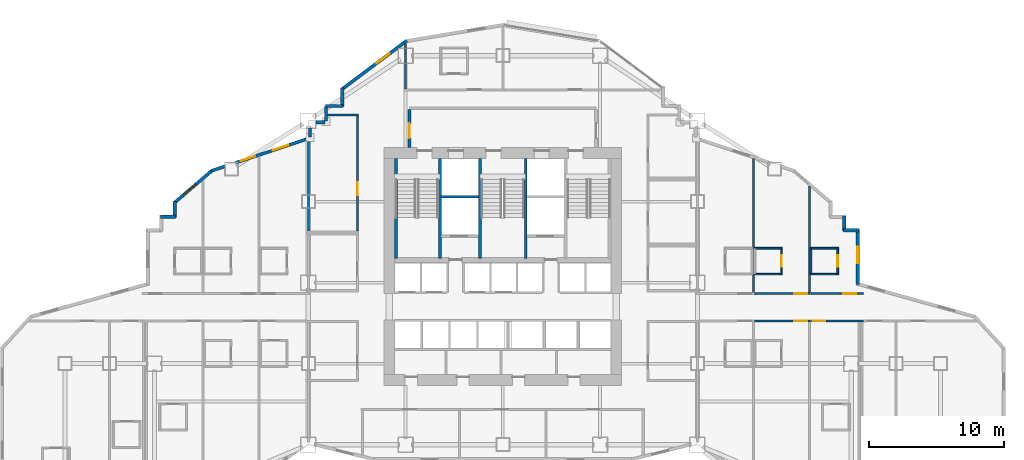
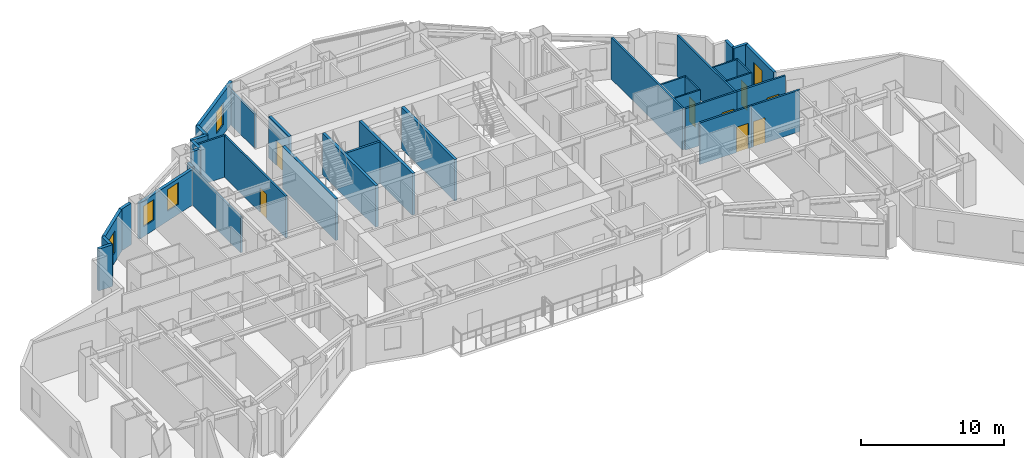
# One storey, part 11 of 16: 37 walls, 8 doors, 5 windows, 13 openings.
"""IFC4 building model written with IfcOpenShell, lengths in metres."""

import ifcopenshell
import ifcopenshell.guid

model = None  # the IFC model being written
_history = None  # IfcOwnerHistory: only IFC2X3 demands one
_inside = {}  # id of a spatial element -> (the spatial element, [elements in it])
_under = {}  # id of a project, library or spatial element -> (it, [spatial elements below it])
_declared = {}  # id of a project -> (the project, [libraries it declares])
_typed = {}  # id of a type object -> (the type object, [elements of that type])
_made_of = {}  # id of a material, layer set ... -> (it, [elements and type objects made of it])


def new_model(schema):
    """Start an empty IFC model of exactly this schema.

    Asked for "IFC4X3", IfcOpenShell would pick the latest addendum, in which some entities
    have other attributes; the version numbers below select the first issue.
    IFC2X3 requires an IfcOwnerHistory on every rooted entity: one is made here for all.
    """
    global model, _history
    if schema == "IFC4X3":
        model = ifcopenshell.file(schema_version=(4, 3, 0, 0))
    else:
        model = ifcopenshell.file(schema=schema)
    _inside.clear()
    _under.clear()
    _declared.clear()
    _typed.clear()
    _made_of.clear()
    _history = None
    if model.schema == "IFC2X3":
        org = make("IfcOrganization", Name="unknown")
        user = make(
            "IfcPersonAndOrganization",
            ThePerson=make("IfcPerson", FamilyName="unknown"),
            TheOrganization=org,
        )
        app = make(
            "IfcApplication",
            ApplicationDeveloper=org,
            Version="unknown",
            ApplicationFullName="unknown",
            ApplicationIdentifier="unknown",
        )
        _history = make(
            "IfcOwnerHistory",
            OwningUser=user,
            OwningApplication=app,
            ChangeAction="ADDED",
            CreationDate=0,
        )
    return model


def make(cls, **values):
    """One entity of the class cls with the attributes given. An attribute that is None is left unset."""
    return model.create_entity(
        cls, **{name: value for name, value in values.items() if value is not None}
    )


def rooted(cls, **values):
    """An entity with a GlobalId (a new one), such as an element, a storey or a relation."""
    return make(cls, GlobalId=ifcopenshell.guid.new(), OwnerHistory=_history, **values)


def si_unit(unit_type, name, prefix=None):
    """IfcSIUnit, for example si_unit("LENGTHUNIT", "METRE", prefix="MILLI")."""
    return make("IfcSIUnit", UnitType=unit_type, Prefix=prefix, Name=name)


def assignment(units):
    """IfcUnitAssignment: the units of a project."""
    return None if units is None else make("IfcUnitAssignment", Units=units)


def point(xyz):
    """IfcCartesianPoint."""
    return None if xyz is None else make("IfcCartesianPoint", Coordinates=xyz)


def direction(xyz):
    """IfcDirection."""
    return None if xyz is None else make("IfcDirection", DirectionRatios=xyz)


def frame(location, z_axis=None, x_axis=None):
    """IfcAxis2Placement3D, a coordinate frame: its origin and axes. An axis left out is left unset."""
    return make(
        "IfcAxis2Placement3D",
        Location=point(location),
        Axis=direction(z_axis),
        RefDirection=direction(x_axis),
    )


def frame_2d(location, x_axis=None):
    """IfcAxis2Placement2D, a coordinate frame in the plane: its origin and x axis."""
    return make(
        "IfcAxis2Placement2D", Location=point(location), RefDirection=direction(x_axis)
    )


def origin():
    """The frame at (0, 0, 0) with its axes left unset."""
    return frame((0.0, 0.0, 0.0))


def place(relative_to, where):
    """IfcLocalPlacement: puts the frame where relative to a parent placement (None: the world)."""
    return make(
        "IfcLocalPlacement", PlacementRelTo=relative_to, RelativePlacement=where
    )


def context(
    kind, dimensions, precision=None, world=None, true_north=None, identifier=None
):
    """IfcGeometricRepresentationContext, for example the 3D "Model" context."""
    return make(
        "IfcGeometricRepresentationContext",
        ContextIdentifier=identifier,
        ContextType=kind,
        CoordinateSpaceDimension=dimensions,
        Precision=precision,
        WorldCoordinateSystem=world,
        TrueNorth=true_north,
    )


def subcontext(parent, identifier, kind, view, scale=None):
    """IfcGeometricRepresentationSubContext, for example "Body" below "Model"."""
    return make(
        "IfcGeometricRepresentationSubContext",
        ContextIdentifier=identifier,
        ContextType=kind,
        ParentContext=parent,
        TargetScale=scale,
        TargetView=view,
    )


def project(units=None, contexts=None):
    """IfcProject with its units and contexts."""
    return rooted(
        "IfcProject",
        Name="project",
        RepresentationContexts=contexts,
        UnitsInContext=assignment(units),
    )


def spatial(cls, under=None, at=None, **own):
    """A site, building, storey or space (cls), placed at a placement, below another one or the project."""
    s = rooted(cls, ObjectPlacement=at, **own)
    if under is not None:
        _under.setdefault(under.id(), (under, []))[1].append(s)
    return s


def profile(cls, at=None, kind="AREA", **sizes):
    """A parametric profile (cls). Its sizes go by their IFC names, for example OverallWidth=200.0."""
    return make(cls, ProfileType=kind, Position=at, **sizes)


def rectangle(**sizes):
    """IfcRectangleProfileDef."""
    return profile("IfcRectangleProfileDef", **sizes)


def extrude(swept, where, along, depth):
    """IfcExtrudedAreaSolid: the profile swept, set in the frame where, extruded along a direction by depth."""
    return make(
        "IfcExtrudedAreaSolid",
        SweptArea=swept,
        Position=where,
        ExtrudedDirection=direction(along),
        Depth=depth,
    )


def shape(context_of_items, identifier, shape_type, items):
    """IfcShapeRepresentation: the items that make up one representation, for example the "Body"."""
    return make(
        "IfcShapeRepresentation",
        ContextOfItems=context_of_items,
        RepresentationIdentifier=identifier,
        RepresentationType=shape_type,
        Items=items,
    )


def material(Name=None, Category=None):
    """IfcMaterial."""
    return make("IfcMaterial", Name=Name, Category=Category)


def layer(
    of_material, thickness, ventilated=None, Name=None, Category=None, Priority=None
):
    """IfcMaterialLayer: one layer of a wall or slab, of a material (None: an air gap)."""
    return make(
        "IfcMaterialLayer",
        Material=of_material,
        LayerThickness=thickness,
        IsVentilated=ventilated,
        Name=Name,
        Category=Category,
        Priority=Priority,
    )


def layer_set(layers, Name=None):
    """IfcMaterialLayerSet."""
    return make("IfcMaterialLayerSet", MaterialLayers=layers, LayerSetName=Name)


def made_of(thing, what):
    """Note that an element or type object is made of a material, layer set ...; save() writes the relation."""
    if what is not None:
        _made_of.setdefault(what.id(), (what, []))[1].append(thing)
    return thing


def type_object(cls, material=None, **own):
    """A type object (cls), such as IfcWallType, which elements share."""
    return made_of(rooted(cls, **own), material)


def element(
    cls,
    number,
    at=None,
    inside=None,
    cuts=None,
    type_object=None,
    material=None,
    context=None,
    identifier="Body",
    shape_type=None,
    held_by="IfcProductDefinitionShape",
    body=None,
    shapes=None,
    **own,
):
    """One element of the class cls, such as IfcWall. Its Tag is "e" and its number.

    at: its placement. inside: the storey or other place that contains it. cuts: it is an
    opening in that element (IfcRelVoidsElement). A single representation is given by context,
    identifier, shape_type and body (its items); several are given by shapes. held_by: the class
    of the entity that holds the representations. save() writes the other relations.
    """
    e = rooted(cls, Tag="e%d" % number, ObjectPlacement=at, **own)
    if body is not None:
        shapes = [shape(context, identifier, shape_type, body)]
    if shapes is not None:
        e.Representation = make(held_by, Representations=shapes)
    if inside is not None:
        _inside.setdefault(inside.id(), (inside, []))[1].append(e)
    if cuts is not None:
        rooted(
            "IfcRelVoidsElement", RelatingBuildingElement=cuts, RelatedOpeningElement=e
        )
    if type_object is not None:
        _typed.setdefault(type_object.id(), (type_object, []))[1].append(e)
    return made_of(e, material)


def fill(opening, filler):
    """IfcRelFillsElement: the door or window that sits in an opening."""
    return rooted(
        "IfcRelFillsElement",
        RelatingOpeningElement=opening,
        RelatedBuildingElement=filler,
    )


def aggregate(whole, parts):
    """IfcRelAggregates: a whole, such as a stair, and the parts it consists of."""
    return rooted("IfcRelAggregates", RelatingObject=whole, RelatedObjects=parts)


def save(model, path):
    """Write the relations noted so far, then the file.

    IfcRelAggregates (storeys below a building ...), IfcRelContainedInSpatialStructure (elements
    in a storey), IfcRelDefinesByType, IfcRelAssociatesMaterial and IfcRelDeclares: one each for
    every whole, place, type object, material and project.
    """
    for whole, parts in _under.values():
        aggregate(whole, parts)
    for where, things in _inside.values():
        rooted(
            "IfcRelContainedInSpatialStructure",
            RelatedElements=things,
            RelatingStructure=where,
        )
    for kind, things in _typed.values():
        rooted("IfcRelDefinesByType", RelatedObjects=things, RelatingType=kind)
    for what, things in _made_of.values():
        rooted("IfcRelAssociatesMaterial", RelatedObjects=things, RelatingMaterial=what)
    for by, libraries in _declared.values():
        rooted("IfcRelDeclares", RelatingContext=by, RelatedDefinitions=libraries)
    model.write(path)


model = new_model("IFC4")

# Units and contexts
model_context = context("Model", 3, precision=1e-05, world=origin(), true_north=direction((0.0, 1.0)))
body_context = subcontext(model_context, "Body", "Model", "MODEL_VIEW")
ifc_project = project(units=[si_unit("LENGTHUNIT", "METRE"), si_unit("AREAUNIT", "SQUARE_METRE"), si_unit("VOLUMEUNIT", "CUBIC_METRE"), si_unit("PLANEANGLEUNIT", "RADIAN"), si_unit("MASSUNIT", "GRAM", prefix="KILO")], contexts=[model_context])

# Site, building, storey
site_placement = place(None, origin())
site = spatial("IfcSite", under=ifc_project, at=site_placement, CompositionType="ELEMENT")
building_placement = place(site_placement, origin())
building = spatial("IfcBuilding", under=site, at=building_placement, Name="Haolan Belvedere Tower", CompositionType="ELEMENT")
storey_placement = place(building_placement, frame((0.0, 0.0, 85.60009765625)))
storey = spatial("IfcBuildingStorey", under=building, at=storey_placement, Name="L21", CompositionType="ELEMENT", Elevation=85.60009765625)

# Wall, opening, window
ifc_material_1 = material(Name="Precast concrete C40/50", Category="concrete")
ifc_layer_1 = layer(ifc_material_1, 0.239990234375, Name="Precast concrete C40/50")
ifc_layer_set_1 = layer_set([ifc_layer_1], Name="Precast concrete C40/50")
wall_type_1 = type_object("IfcWallType", Name="WL-EXT-240", PredefinedType="SOLIDWALL", material=ifc_layer_set_1)
wall_1_placement = place(storey_placement, frame((64.679931640625, 33.453857421875, 0.0), z_axis=(0.0, 0.0, 1.0), x_axis=(0.0, 1.0, 0.0)))
wall_1 = element("IfcWall", 1, at=wall_1_placement, inside=storey, type_object=wall_type_1, Name="L21 pale-metal exterior spandrel wall 29.1", PredefinedType="SOLIDWALL", context=body_context, shape_type="SweptSolid", body=[
    extrude(rectangle(XDim=4.0810546875, YDim=0.239990234375, at=frame_2d((2.04052734375, 0.0))), origin(), (0.0, 0.0, 1.0), 3.539794921875),
])
opening_1_placement = place(wall_1_placement, frame((1.60009765625, 0.0, 0.85009765625)))
opening_1 = element("IfcOpeningElement", 2, at=opening_1_placement, cuts=wall_1, Name="Opening W-01", PredefinedType="OPENING", context=body_context, shape_type="SweptSolid", body=[
    extrude(rectangle(XDim=1.199951171875, YDim=1.85009765625, at=frame_2d((0.60009765625, 0.925048828125))), frame((0.0, 0.1298828125, 0.0), z_axis=(0.0, -1.0, 0.0), x_axis=(1.0, 0.0, 0.0)), (0.0, 0.0, 1.0), 0.260009765625),
])
ifc_material_2 = material(Name="Anodised aluminium 6063-T6 and Low-E glass", Category="aluminium")
window_type_1 = type_object("IfcWindowType", Name="WN-DECO-Z1", PartitioningType="SINGLE_PANEL", PredefinedType="WINDOW", material=ifc_material_2)
window_1_placement = place(opening_1_placement, origin())
window_1 = element("IfcWindow", 3, at=window_1_placement, inside=storey, type_object=window_type_1, Name="L21 Art Deco chevron window 1", OverallHeight=1.85009765625, OverallWidth=1.199951171875, PartitioningType="SINGLE_PANEL", PredefinedType="WINDOW", context=body_context, shape_type="SweptSolid", body=[
    extrude(rectangle(XDim=1.199951171875, YDim=1.85009765625, at=frame_2d((0.60009765625, 0.925048828125))), frame((0.0, 0.030029296875, 0.0), z_axis=(0.0, -1.0, 0.0), x_axis=(1.0, 0.0, 0.0)), (0.0, 0.0, 1.0), 0.06005859375),
])
fill(opening_1, window_1)

# Walls
wall_2_placement = place(storey_placement, frame((64.735107421875, 37.47998046875, 0.0), z_axis=(0.0, 0.0, 1.0), x_axis=(-1.0, 0.0, 0.0)))
element("IfcWall", 4, at=wall_2_placement, inside=storey, type_object=wall_type_1, Name="L21 pale-metal exterior spandrel wall 30.1", PredefinedType="SOLIDWALL", context=body_context, shape_type="SweptSolid", body=[
    extrude(rectangle(XDim=1.110107421875, YDim=0.239990234375, at=frame_2d((0.55517578125, 0.0))), origin(), (0.0, 0.0, 1.0), 3.539794921875),
])
wall_3_placement = place(storey_placement, frame((63.679931640625, 37.425048828125, 0.0), z_axis=(0.0, 0.0, 1.0), x_axis=(0.0, 1.0, 0.0)))
element("IfcWall", 5, at=wall_3_placement, inside=storey, type_object=wall_type_1, Name="L21 pale-metal exterior spandrel wall 31.1", PredefinedType="SOLIDWALL", context=body_context, shape_type="SweptSolid", body=[
    extrude(rectangle(XDim=1.10986328125, YDim=0.239990234375, at=frame_2d((0.554931640625, 0.0))), origin(), (0.0, 0.0, 1.0), 3.539794921875),
])

# Wall, opening, window
wall_4_placement = place(storey_placement, frame((31.29248046875, 51.519287109375, 0.0), z_axis=(0.0, 0.0, 1.0), x_axis=(-0.8, -0.6, 0.0)))
wall_4 = element("IfcWall", 6, at=wall_4_placement, inside=storey, type_object=wall_type_1, Name="L21 pale-metal exterior spandrel wall 44.1", PredefinedType="SOLIDWALL", context=body_context, shape_type="SweptSolid", body=[
    extrude(rectangle(XDim=6.0205078125, YDim=0.239990234375, at=frame_2d((3.01025390625, 0.0))), origin(), (0.0, 0.0, 1.0), 3.539794921875),
])
opening_2_placement = place(wall_4_placement, frame((1.60009765625, 0.0, 0.85009765625)))
opening_2 = element("IfcOpeningElement", 7, at=opening_2_placement, cuts=wall_4, Name="Opening W-01", PredefinedType="OPENING", context=body_context, shape_type="SweptSolid", body=[
    extrude(rectangle(XDim=1.199951171875, YDim=1.85009765625, at=frame_2d((0.60009765625, 0.925048828125))), frame((0.0, 0.1298828125, 0.0), z_axis=(0.0, -1.0, 0.0), x_axis=(1.0, 0.0, 0.0)), (0.0, 0.0, 1.0), 0.260009765625),
])
window_2_placement = place(opening_2_placement, origin())
window_2 = element("IfcWindow", 8, at=window_2_placement, inside=storey, type_object=window_type_1, Name="L21 Art Deco chevron window 1", OverallHeight=1.85009765625, OverallWidth=1.199951171875, PartitioningType="SINGLE_PANEL", PredefinedType="WINDOW", context=body_context, shape_type="SweptSolid", body=[
    extrude(rectangle(XDim=1.199951171875, YDim=1.85009765625, at=frame_2d((0.60009765625, 0.925048828125))), frame((0.0, 0.030029296875, 0.0), z_axis=(0.0, -1.0, 0.0), x_axis=(1.0, 0.0, 0.0)), (0.0, 0.0, 1.0), 0.06005859375),
])
fill(opening_2, window_2)

# Walls
wall_5_placement = place(storey_placement, frame((26.52001953125, 47.9951171875, 0.0), z_axis=(0.0, 0.0, 1.0), x_axis=(0.0, -1.0, 0.0)))
element("IfcWall", 9, at=wall_5_placement, inside=storey, type_object=wall_type_1, Name="L21 pale-metal exterior spandrel wall 45.1", PredefinedType="SOLIDWALL", context=body_context, shape_type="SweptSolid", body=[
    extrude(rectangle(XDim=1.3701171875, YDim=0.239990234375, at=frame_2d((0.68505859375, 0.0))), origin(), (0.0, 0.0, 1.0), 3.539794921875),
])
wall_6_placement = place(storey_placement, frame((26.574951171875, 46.679931640625, 0.0), z_axis=(0.0, 0.0, 1.0), x_axis=(-1.0, 0.0, 0.0)))
element("IfcWall", 10, at=wall_6_placement, inside=storey, type_object=wall_type_1, Name="L21 pale-metal exterior spandrel wall 46.1", PredefinedType="SOLIDWALL", context=body_context, shape_type="SweptSolid", body=[
    extrude(rectangle(XDim=1.31005859375, YDim=0.239990234375, at=frame_2d((0.655029296875, 0.0))), origin(), (0.0, 0.0, 1.0), 3.539794921875),
])
wall_7_placement = place(storey_placement, frame((25.320068359375, 46.614990234375, 0.0), z_axis=(0.0, 0.0, 1.0), x_axis=(0.0, -1.0, 0.0)))
element("IfcWall", 11, at=wall_7_placement, inside=storey, type_object=wall_type_1, Name="L21 pale-metal exterior spandrel wall 47.1", PredefinedType="SOLIDWALL", context=body_context, shape_type="SweptSolid", body=[
    extrude(rectangle(XDim=1.050048828125, YDim=0.239990234375, at=frame_2d((0.52490234375, 0.0))), origin(), (0.0, 0.0, 1.0), 3.539794921875),
])
wall_8_placement = place(storey_placement, frame((25.235107421875, 45.47998046875, 0.0), z_axis=(0.0, 0.0, 1.0), x_axis=(-1.0, 0.0, 0.0)))
element("IfcWall", 12, at=wall_8_placement, inside=storey, type_object=wall_type_1, Name="L21 pale-metal exterior spandrel wall 48.1", PredefinedType="SOLIDWALL", context=body_context, shape_type="SweptSolid", body=[
    extrude(rectangle(XDim=0.668212890625, YDim=0.239990234375, at=frame_2d((0.333984375, 0.0))), origin(), (0.0, 0.0, 1.0), 3.539794921875),
])
wall_9_placement = place(storey_placement, frame((24.1201171875, 45.032958984375, 0.0), z_axis=(0.0, 0.0, 1.0), x_axis=(0.0, -1.0, 0.0)))
element("IfcWall", 13, at=wall_9_placement, inside=storey, type_object=wall_type_1, Name="L21 pale-metal exterior spandrel wall 49.1", PredefinedType="SOLIDWALL", context=body_context, shape_type="SweptSolid", body=[
    extrude(rectangle(XDim=0.634521484375, YDim=0.239990234375, at=frame_2d((0.3173828125, 0.0))), origin(), (0.0, 0.0, 1.0), 3.036865234375),
])

# Wall, openings, windows
wall_10_placement = place(storey_placement, frame((24.039306640625, 44.28662109375, 0.0), z_axis=(0.0, 0.0, 1.0), x_axis=(-0.948678995954, -0.316240672014, 0.0)))
wall_10 = element("IfcWall", 14, at=wall_10_placement, inside=storey, type_object=wall_type_1, Name="L21 pale-metal exterior spandrel wall 50.1", PredefinedType="SOLIDWALL", context=body_context, shape_type="SweptSolid", body=[
    extrude(rectangle(XDim=5.675048828125, YDim=0.239990234375, at=frame_2d((2.83740234375, 0.0))), origin(), (0.0, 0.0, 1.0), 3.036865234375),
])
opening_3_placement = place(wall_10_placement, frame((1.60009765625, 0.0, 0.85009765625)))
opening_3 = element("IfcOpeningElement", 15, at=opening_3_placement, cuts=wall_10, Name="Opening W-01", PredefinedType="OPENING", context=body_context, shape_type="SweptSolid", body=[
    extrude(rectangle(XDim=1.199951171875, YDim=1.85009765625, at=frame_2d((0.60009765625, 0.925048828125))), frame((0.0, 0.1298828125, 0.0), z_axis=(0.0, -1.0, 0.0), x_axis=(1.0, 0.0, 0.0)), (0.0, 0.0, 1.0), 0.260009765625),
])
opening_4_placement = place(wall_10_placement, frame((4.20556640625, 0.0, 0.85009765625)))
opening_4 = element("IfcOpeningElement", 16, at=opening_4_placement, cuts=wall_10, Name="Opening W-03", PredefinedType="OPENING", context=body_context, shape_type="SweptSolid", body=[
    extrude(rectangle(XDim=1.10009765625, YDim=1.75, at=frame_2d((0.550048828125, 0.875))), frame((0.0, 0.1298828125, 0.0), z_axis=(0.0, -1.0, 0.0), x_axis=(1.0, 0.0, 0.0)), (0.0, 0.0, 1.0), 0.260009765625),
])
window_3_placement = place(opening_3_placement, origin())
window_3 = element("IfcWindow", 17, at=window_3_placement, inside=storey, type_object=window_type_1, Name="L21 Art Deco chevron window 1", OverallHeight=1.85009765625, OverallWidth=1.199951171875, PartitioningType="SINGLE_PANEL", PredefinedType="WINDOW", context=body_context, shape_type="SweptSolid", body=[
    extrude(rectangle(XDim=1.199951171875, YDim=1.85009765625, at=frame_2d((0.60009765625, 0.925048828125))), frame((0.0, 0.030029296875, 0.0), z_axis=(0.0, -1.0, 0.0), x_axis=(1.0, 0.0, 0.0)), (0.0, 0.0, 1.0), 0.06005859375),
])
fill(opening_3, window_3)
window_type_2 = type_object("IfcWindowType", Name="WN-DECO-Z3", PartitioningType="SINGLE_PANEL", PredefinedType="WINDOW", material=ifc_material_2)
window_4_placement = place(opening_4_placement, origin())
window_4 = element("IfcWindow", 18, at=window_4_placement, inside=storey, type_object=window_type_2, Name="L21 Art Deco guestroom window 1", OverallHeight=1.75, OverallWidth=1.10009765625, PartitioningType="SINGLE_PANEL", PredefinedType="WINDOW", context=body_context, shape_type="SweptSolid", body=[
    extrude(rectangle(XDim=1.10009765625, YDim=1.75, at=frame_2d((0.550048828125, 0.875))), frame((0.0, 0.030029296875, 0.0), z_axis=(0.0, -1.0, 0.0), x_axis=(1.0, 0.0, 0.0)), (0.0, 0.0, 1.0), 0.06005859375),
])
fill(opening_4, window_4)

# Wall
wall_11_placement = place(storey_placement, frame((17.80810546875, 42.20947265625, 0.0), z_axis=(0.0, 0.0, 1.0), x_axis=(-0.948706457285, -0.316158279832, 0.0)))
element("IfcWall", 19, at=wall_11_placement, inside=storey, type_object=wall_type_1, Name="L21 pale-metal exterior spandrel wall 50.2", PredefinedType="SOLIDWALL", context=body_context, shape_type="SweptSolid", body=[
    extrude(rectangle(XDim=1.053955078125, YDim=0.239990234375, at=frame_2d((0.52685546875, 0.0))), origin(), (0.0, 0.0, 1.0), 3.539794921875),
])

# Wall, opening, window
wall_12_placement = place(storey_placement, frame((16.902099609375, 41.929443359375, 0.0), z_axis=(0.0, 0.0, 1.0), x_axis=(-0.759275136126, -0.650769750112, 0.0)))
wall_12 = element("IfcWall", 20, at=wall_12_placement, inside=storey, type_object=wall_type_1, Name="L21 pale-metal exterior spandrel wall 51.1", PredefinedType="SOLIDWALL", context=body_context, shape_type="SweptSolid", body=[
    extrude(rectangle(XDim=3.71923828125, YDim=0.239990234375, at=frame_2d((1.859619140625, 0.0))), origin(), (0.0, 0.0, 1.0), 3.539794921875),
])
opening_5_placement = place(wall_12_placement, frame((1.60009765625, 0.0, 0.85009765625)))
opening_5 = element("IfcOpeningElement", 21, at=opening_5_placement, cuts=wall_12, Name="Opening W-01", PredefinedType="OPENING", context=body_context, shape_type="SweptSolid", body=[
    extrude(rectangle(XDim=1.199951171875, YDim=1.85009765625, at=frame_2d((0.60009765625, 0.925048828125))), frame((0.0, 0.1298828125, 0.0), z_axis=(0.0, -1.0, 0.0), x_axis=(1.0, 0.0, 0.0)), (0.0, 0.0, 1.0), 0.260009765625),
])
window_5_placement = place(opening_5_placement, origin())
window_5 = element("IfcWindow", 22, at=window_5_placement, inside=storey, type_object=window_type_1, Name="L21 Art Deco chevron window 1", OverallHeight=1.85009765625, OverallWidth=1.199951171875, PartitioningType="SINGLE_PANEL", PredefinedType="WINDOW", context=body_context, shape_type="SweptSolid", body=[
    extrude(rectangle(XDim=1.199951171875, YDim=1.85009765625, at=frame_2d((0.60009765625, 0.925048828125))), frame((0.0, 0.030029296875, 0.0), z_axis=(0.0, -1.0, 0.0), x_axis=(1.0, 0.0, 0.0)), (0.0, 0.0, 1.0), 0.06005859375),
])
fill(opening_5, window_5)

# Walls
wall_13_placement = place(storey_placement, frame((14.1201171875, 39.599853515625, 0.0), z_axis=(0.0, 0.0, 1.0), x_axis=(0.0, -1.0, 0.0)))
element("IfcWall", 23, at=wall_13_placement, inside=storey, type_object=wall_type_1, Name="L21 pale-metal exterior spandrel wall 52.1", PredefinedType="SOLIDWALL", context=body_context, shape_type="SweptSolid", body=[
    extrude(rectangle(XDim=1.1748046875, YDim=0.239990234375, at=frame_2d((0.58740234375, 0.0))), origin(), (0.0, 0.0, 1.0), 3.539794921875),
])
wall_14_placement = place(storey_placement, frame((14.175048828125, 38.47998046875, 0.0), z_axis=(0.0, 0.0, 1.0), x_axis=(-1.0, 0.0, 0.0)))
element("IfcWall", 24, at=wall_14_placement, inside=storey, type_object=wall_type_1, Name="L21 pale-metal exterior spandrel wall 53.1", PredefinedType="SOLIDWALL", context=body_context, shape_type="SweptSolid", body=[
    extrude(rectangle(XDim=1.110107421875, YDim=0.239990234375, at=frame_2d((0.55517578125, 0.0))), origin(), (0.0, 0.0, 1.0), 3.539794921875),
])

# Wall, opening, door
ifc_material_3 = material(Name="Concrete C40/50", Category="concrete")
ifc_layer_2 = layer(ifc_material_3, 0.199951171875, Name="Concrete C40/50")
ifc_layer_set_2 = layer_set([ifc_layer_2], Name="Concrete C40/50")
wall_type_2 = type_object("IfcWallType", Name="WL-FIRE-200", PredefinedType="SOLIDWALL", material=ifc_layer_set_2)
wall_15_placement = place(storey_placement, frame((31.5, 43.60009765625, 0.0), z_axis=(0.0, 0.0, 1.0), x_axis=(0.0, 1.0, 0.0)))
wall_15 = element("IfcWall", 25, at=wall_15_placement, inside=storey, type_object=wall_type_2, Name="L21 interior partition IW-L21-FFL-W", PredefinedType="SOLIDWALL", context=body_context, shape_type="SweptSolid", body=[
    extrude(rectangle(XDim=2.8349609375, YDim=0.199951171875, at=frame_2d((1.41748046875, 0.0))), origin(), (0.0, 0.0, 1.0), 3.539794921875),
])
opening_6_placement = place(wall_15_placement, frame((1.800048828125, 0.0, 0.0), z_axis=(0.0, 0.0, 1.0), x_axis=(-1.0, 0.0, 0.0)))
opening_6 = element("IfcOpeningElement", 26, at=opening_6_placement, cuts=wall_15, Name="Opening FD-03", PredefinedType="OPENING", context=body_context, shape_type="SweptSolid", body=[
    extrude(rectangle(XDim=1.10009765625, YDim=2.14990234375, at=frame_2d((0.550048828125, 1.074951171875))), frame((0.0, 0.10986328125, 0.0), z_axis=(0.0, -1.0, 0.0), x_axis=(1.0, 0.0, 0.0)), (0.0, 0.0, 1.0), 0.219970703125),
])
ifc_material_4 = material(Name="Galvanised fire-rated steel", Category="steel")
door_type_1 = type_object("IfcDoorType", Name="DR-FD90-1100", OperationType="NOTDEFINED", PredefinedType="DOOR", material=ifc_material_4)
door_1_placement = place(opening_6_placement, origin())
door_1 = element("IfcDoor", 27, at=door_1_placement, inside=storey, type_object=door_type_1, Name="L21 door ID-L21-FFL-DW", OperationType="SINGLE_SWING_LEFT", OverallHeight=2.14990234375, OverallWidth=1.10009765625, PredefinedType="DOOR", context=body_context, shape_type="SweptSolid", body=[
    extrude(rectangle(XDim=1.10009765625, YDim=2.14990234375, at=frame_2d((0.550048828125, 1.074951171875))), frame((0.0, 0.02490234375, 0.0), z_axis=(0.0, -1.0, 0.0), x_axis=(1.0, 0.0, 0.0)), (0.0, 0.0, 1.0), 0.050048828125),
])
fill(opening_6, door_1)

# Walls
ifc_material_5 = material(Name="Double gypsum acoustic stud partition", Category="masonry")
ifc_layer_3 = layer(ifc_material_5, 0.14990234375, Name="Double gypsum acoustic stud partition")
ifc_layer_set_3 = layer_set([ifc_layer_3], Name="Double gypsum acoustic stud partition")
wall_type_3 = type_object("IfcWallType", Name="WL-PART-150", PredefinedType="PARTITIONING", material=ifc_layer_set_3)
wall_16_placement = place(storey_placement, frame((25.425048828125, 46.02001953125, 0.0), z_axis=(0.0, 0.0, 1.0), x_axis=(1.0, 0.0, 0.0)))
element("IfcWall", 28, at=wall_16_placement, inside=storey, type_object=wall_type_3, Name="L21 interior partition IW-L21-MTG-N", PredefinedType="PARTITIONING", context=body_context, shape_type="SweptSolid", body=[
    extrude(rectangle(XDim=2.294921875, YDim=0.14990234375, at=frame_2d((1.1474609375, 0.0))), origin(), (0.0, 0.0, 1.0), 3.539794921875),
])
wall_17_placement = place(storey_placement, frame((24.0, 37.419921875, 0.0), z_axis=(0.0, 0.0, 1.0), x_axis=(0.0, 1.0, 0.0)))
element("IfcWall", 29, at=wall_17_placement, inside=storey, type_object=wall_type_3, Name="L21 interior partition IW-L21-MTG-W", PredefinedType="PARTITIONING", context=body_context, shape_type="SweptSolid", body=[
    extrude(rectangle(XDim=6.742919921875, YDim=0.14990234375, at=frame_2d((3.37158203125, 0.0))), origin(), (0.0, 0.0, 1.0), 3.036865234375),
])

# Wall, opening, door
wall_18_placement = place(storey_placement, frame((27.639892578125, 37.419921875, 0.0), z_axis=(0.0, 0.0, 1.0), x_axis=(0.0, 1.0, 0.0)))
wall_18 = element("IfcWall", 30, at=wall_18_placement, inside=storey, type_object=wall_type_3, Name="L21 interior partition IW-L21-MTG-E", PredefinedType="PARTITIONING", context=body_context, shape_type="SweptSolid", body=[
    extrude(rectangle(XDim=8.5400390625, YDim=0.14990234375, at=frame_2d((4.27001953125, 0.0))), origin(), (0.0, 0.0, 1.0), 3.539794921875),
])
opening_7_placement = place(wall_18_placement, frame((3.60986328125, 0.0, 0.0), z_axis=(0.0, 0.0, 1.0), x_axis=(-1.0, 0.0, 0.0)))
opening_7 = element("IfcOpeningElement", 31, at=opening_7_placement, cuts=wall_18, Name="Opening ID-03", PredefinedType="OPENING", context=body_context, shape_type="SweptSolid", body=[
    extrude(rectangle(XDim=0.949951171875, YDim=2.1201171875, at=frame_2d((0.47509765625, 1.06005859375))), frame((0.0, 0.0849609375, 0.0), z_axis=(0.0, -1.0, 0.0), x_axis=(1.0, 0.0, 0.0)), (0.0, 0.0, 1.0), 0.169921875),
])
ifc_material_6 = material(Name="Painted solid-core timber", Category="wood")
door_type_2 = type_object("IfcDoorType", Name="DR-INT-950", OperationType="NOTDEFINED", PredefinedType="DOOR", material=ifc_material_6)
door_2_placement = place(opening_7_placement, origin())
door_2 = element("IfcDoor", 32, at=door_2_placement, inside=storey, type_object=door_type_2, Name="L21 door ID-L21-MTG", OperationType="SINGLE_SWING_RIGHT", OverallHeight=2.1201171875, OverallWidth=0.949951171875, PredefinedType="DOOR", context=body_context, shape_type="SweptSolid", body=[
    extrude(rectangle(XDim=0.949951171875, YDim=2.1201171875, at=frame_2d((0.47509765625, 1.06005859375))), frame((0.0, 0.02490234375, 0.0), z_axis=(0.0, -1.0, 0.0), x_axis=(1.0, 0.0, 0.0)), (0.0, 0.0, 1.0), 0.050048828125),
])
fill(opening_7, door_2)

# Walls
wall_19_placement = place(storey_placement, frame((31.199951171875, 47.93994140625, 0.0), z_axis=(0.0, 0.0, 1.0), x_axis=(0.0, 1.0, 0.0)))
element("IfcWall", 33, at=wall_19_placement, inside=storey, type_object=wall_type_3, Name="L21 interior partition IW-L21-KN2-W", PredefinedType="PARTITIONING", context=body_context, shape_type="SweptSolid", body=[
    extrude(rectangle(XDim=3.378662109375, YDim=0.14990234375, at=frame_2d((1.689453125, 0.0))), origin(), (0.0, 0.0, 1.0), 2.9248046875),
])
wall_20_placement = place(storey_placement, frame((56.949951171875, 32.840087890625, 0.0), z_axis=(0.0, 0.0, 1.0), x_axis=(0.0, 1.0, 0.0)))
element("IfcWall", 34, at=wall_20_placement, inside=storey, type_object=wall_type_3, Name="L21 interior partition IW-L21-T4N1-E", PredefinedType="PARTITIONING", context=body_context, shape_type="SweptSolid", body=[
    extrude(rectangle(XDim=9.939453125, YDim=0.14990234375, at=frame_2d((4.9697265625, 0.0))), origin(), (0.0, 0.0, 1.0), 3.539794921875),
])

# Wall, opening, door
wall_21_placement = place(storey_placement, frame((57.052001953125, 32.780029296875, 0.0), z_axis=(0.0, 0.0, 1.0), x_axis=(1.0, 0.0, 0.0)))
wall_21 = element("IfcWall", 35, at=wall_21_placement, inside=storey, type_object=wall_type_3, Name="L21 interior partition IW-L21-T4N2-S", PredefinedType="PARTITIONING", context=body_context, shape_type="SweptSolid", body=[
    extrude(rectangle(XDim=4.14794921875, YDim=0.14990234375, at=frame_2d((2.073974609375, 0.0))), origin(), (0.0, 0.0, 1.0), 3.539794921875),
])
opening_8_placement = place(wall_21_placement, frame((2.935302734375, 0.0, 0.0)))
opening_8 = element("IfcOpeningElement", 36, at=opening_8_placement, cuts=wall_21, Name="Opening ID-02", PredefinedType="OPENING", context=body_context, shape_type="SweptSolid", body=[
    extrude(rectangle(XDim=0.949951171875, YDim=2.14990234375, at=frame_2d((0.47509765625, 1.074951171875))), frame((0.0, 0.0849609375, 0.0), z_axis=(0.0, -1.0, 0.0), x_axis=(1.0, 0.0, 0.0)), (0.0, 0.0, 1.0), 0.169921875),
])
ifc_material_7 = material(Name="Acoustic oak veneer fire-rated timber", Category="wood")
door_type_3 = type_object("IfcDoorType", Name="DR-GUEST-950", OperationType="NOTDEFINED", PredefinedType="DOOR", material=ifc_material_7)
door_3_placement = place(opening_8_placement, origin())
door_3 = element("IfcDoor", 37, at=door_3_placement, inside=storey, type_object=door_type_3, Name="L21 door ID-L21-T4N2-ENT", OperationType="SINGLE_SWING_RIGHT", OverallHeight=2.14990234375, OverallWidth=0.949951171875, PredefinedType="DOOR", context=body_context, shape_type="SweptSolid", body=[
    extrude(rectangle(XDim=0.949951171875, YDim=2.14990234375, at=frame_2d((0.47509765625, 1.074951171875))), frame((0.0, 0.02490234375, 0.0), z_axis=(0.0, -1.0, 0.0), x_axis=(1.0, 0.0, 0.0)), (0.0, 0.0, 1.0), 0.050048828125),
])
fill(opening_8, door_3)

# Wall
wall_22_placement = place(storey_placement, frame((61.10009765625, 32.840087890625, 0.0), z_axis=(0.0, 0.0, 1.0), x_axis=(0.0, 1.0, 0.0)))
element("IfcWall", 38, at=wall_22_placement, inside=storey, type_object=wall_type_3, Name="L21 interior partition IW-L21-T4N2-E", PredefinedType="PARTITIONING", context=body_context, shape_type="SweptSolid", body=[
    extrude(rectangle(XDim=7.920654296875, YDim=0.14990234375, at=frame_2d((3.96044921875, 0.0))), origin(), (0.0, 0.0, 1.0), 3.539794921875),
])

# Wall, opening, door
wall_23_placement = place(storey_placement, frame((61.201904296875, 32.780029296875, 0.0), z_axis=(0.0, 0.0, 1.0), x_axis=(1.0, 0.0, 0.0)))
wall_23 = element("IfcWall", 39, at=wall_23_placement, inside=storey, type_object=wall_type_3, Name="L21 interior partition IW-L21-T4N3-S", PredefinedType="PARTITIONING", context=body_context, shape_type="SweptSolid", body=[
    extrude(rectangle(XDim=3.898193359375, YDim=0.14990234375, at=frame_2d((1.94921875, 0.0))), origin(), (0.0, 0.0, 1.0), 3.539794921875),
])
opening_9_placement = place(wall_23_placement, frame((2.41259765625, 0.0, 0.0)))
opening_9 = element("IfcOpeningElement", 40, at=opening_9_placement, cuts=wall_23, Name="Opening ID-02", PredefinedType="OPENING", context=body_context, shape_type="SweptSolid", body=[
    extrude(rectangle(XDim=0.949951171875, YDim=2.14990234375, at=frame_2d((0.47509765625, 1.074951171875))), frame((0.0, 0.0849609375, 0.0), z_axis=(0.0, -1.0, 0.0), x_axis=(1.0, 0.0, 0.0)), (0.0, 0.0, 1.0), 0.169921875),
])
door_4_placement = place(opening_9_placement, origin())
door_4 = element("IfcDoor", 41, at=door_4_placement, inside=storey, type_object=door_type_3, Name="L21 door ID-L21-T4N3-ENT", OperationType="SINGLE_SWING_LEFT", OverallHeight=2.14990234375, OverallWidth=0.949951171875, PredefinedType="DOOR", context=body_context, shape_type="SweptSolid", body=[
    extrude(rectangle(XDim=0.949951171875, YDim=2.14990234375, at=frame_2d((0.47509765625, 1.074951171875))), frame((0.0, 0.02490234375, 0.0), z_axis=(0.0, -1.0, 0.0), x_axis=(1.0, 0.0, 0.0)), (0.0, 0.0, 1.0), 0.050048828125),
])
fill(opening_9, door_4)

wall_24_placement = place(storey_placement, frame((57.052001953125, 30.77001953125, 0.0), z_axis=(0.0, 0.0, 1.0), x_axis=(1.0, 0.0, 0.0)))
wall_24 = element("IfcWall", 42, at=wall_24_placement, inside=storey, type_object=wall_type_3, Name="L21 interior partition IW-L21-T4S2-N", PredefinedType="PARTITIONING", context=body_context, shape_type="SweptSolid", body=[
    extrude(rectangle(XDim=4.14794921875, YDim=0.14990234375, at=frame_2d((2.073974609375, 0.0))), origin(), (0.0, 0.0, 1.0), 3.539794921875),
])
opening_10_placement = place(wall_24_placement, frame((3.88525390625, 0.0, 0.0), z_axis=(0.0, 0.0, 1.0), x_axis=(-1.0, 0.0, 0.0)))
opening_10 = element("IfcOpeningElement", 43, at=opening_10_placement, cuts=wall_24, Name="Opening ID-02", PredefinedType="OPENING", context=body_context, shape_type="SweptSolid", body=[
    extrude(rectangle(XDim=0.949951171875, YDim=2.14990234375, at=frame_2d((0.47509765625, 1.074951171875))), frame((0.0, 0.0849609375, 0.0), z_axis=(0.0, -1.0, 0.0), x_axis=(1.0, 0.0, 0.0)), (0.0, 0.0, 1.0), 0.169921875),
])
door_5_placement = place(opening_10_placement, origin())
door_5 = element("IfcDoor", 44, at=door_5_placement, inside=storey, type_object=door_type_3, Name="L21 door ID-L21-T4S2-ENT", OperationType="SINGLE_SWING_LEFT", OverallHeight=2.14990234375, OverallWidth=0.949951171875, PredefinedType="DOOR", context=body_context, shape_type="SweptSolid", body=[
    extrude(rectangle(XDim=0.949951171875, YDim=2.14990234375, at=frame_2d((0.47509765625, 1.074951171875))), frame((0.0, 0.02490234375, 0.0), z_axis=(0.0, -1.0, 0.0), x_axis=(1.0, 0.0, 0.0)), (0.0, 0.0, 1.0), 0.050048828125),
])
fill(opening_10, door_5)

wall_25_placement = place(storey_placement, frame((61.201904296875, 30.77001953125, 0.0), z_axis=(0.0, 0.0, 1.0), x_axis=(1.0, 0.0, 0.0)))
wall_25 = element("IfcWall", 45, at=wall_25_placement, inside=storey, type_object=wall_type_3, Name="L21 interior partition IW-L21-T4S3-N", PredefinedType="PARTITIONING", context=body_context, shape_type="SweptSolid", body=[
    extrude(rectangle(XDim=3.898193359375, YDim=0.14990234375, at=frame_2d((1.94921875, 0.0))), origin(), (0.0, 0.0, 1.0), 3.539794921875),
])
opening_11_placement = place(wall_25_placement, frame((1.08984375, 0.0, 0.0), z_axis=(0.0, 0.0, 1.0), x_axis=(-1.0, 0.0, 0.0)))
opening_11 = element("IfcOpeningElement", 46, at=opening_11_placement, cuts=wall_25, Name="Opening ID-02", PredefinedType="OPENING", context=body_context, shape_type="SweptSolid", body=[
    extrude(rectangle(XDim=0.949951171875, YDim=2.14990234375, at=frame_2d((0.47509765625, 1.074951171875))), frame((0.0, 0.0849609375, 0.0), z_axis=(0.0, -1.0, 0.0), x_axis=(1.0, 0.0, 0.0)), (0.0, 0.0, 1.0), 0.169921875),
])
door_6_placement = place(opening_11_placement, origin())
door_6 = element("IfcDoor", 47, at=door_6_placement, inside=storey, type_object=door_type_3, Name="L21 door ID-L21-T4S3-ENT", OperationType="SINGLE_SWING_RIGHT", OverallHeight=2.14990234375, OverallWidth=0.949951171875, PredefinedType="DOOR", context=body_context, shape_type="SweptSolid", body=[
    extrude(rectangle(XDim=0.949951171875, YDim=2.14990234375, at=frame_2d((0.47509765625, 1.074951171875))), frame((0.0, 0.02490234375, 0.0), z_axis=(0.0, -1.0, 0.0), x_axis=(1.0, 0.0, 0.0)), (0.0, 0.0, 1.0), 0.050048828125),
])
fill(opening_11, door_6)

# Walls
ifc_layer_4 = layer(ifc_material_1, 0.179931640625, Name="Precast concrete C40/50")
ifc_layer_set_4 = layer_set([ifc_layer_4], Name="Precast concrete C40/50")
wall_type_4 = type_object("IfcWallType", Name="WL-SHAFT-180", PredefinedType="SOLIDWALL", material=ifc_layer_set_4)
wall_26_placement = place(storey_placement, frame((33.8349609375, 39.949951171875, 0.0), z_axis=(0.0, 0.0, 1.0), x_axis=(1.0, 0.0, 0.0)))
element("IfcWall", 48, at=wall_26_placement, inside=storey, type_object=wall_type_4, Name="L21 interior partition IW-L21-FF1-S", PredefinedType="SOLIDWALL", context=body_context, shape_type="SweptSolid", body=[
    extrude(rectangle(XDim=2.77001953125, YDim=0.179931640625, at=frame_2d((1.385009765625, 0.0))), origin(), (0.0, 0.0, 1.0), 3.539794921875),
])
ifc_material_8 = material(Name="Concrete C50/60", Category="concrete")
ifc_layer_5 = layer(ifc_material_8, 0.219970703125, Name="Concrete C50/60")
ifc_layer_set_5 = layer_set([ifc_layer_5], Name="Concrete C50/60")
wall_type_5 = type_object("IfcWallType", Name="WL-STAIR-220", PredefinedType="SHEAR", material=ifc_layer_set_5)
for number, where, z_axis, x_axis, name in (
    (49, (30.511962890625, 35.389892578125, 0.0), (0.0, 0.0, 1.0), (0.0, 1.0, 0.0), "L21 structural stair core wall ST1W"),
    (50, (33.739990234375, 35.389892578125, 0.0), (0.0, 0.0, 1.0), (0.0, 1.0, 0.0), "L21 structural stair core wall ST1E"),
    (51, (36.699951171875, 35.389892578125, 0.0), (0.0, 0.0, 1.0), (0.0, 1.0, 0.0), "L21 structural stair core wall ST3W"),
    (52, (40.10009765625, 35.389892578125, 0.0), (0.0, 0.0, 1.0), (0.0, 1.0, 0.0), "L21 structural stair core wall ST3E"),
):
    element("IfcWall", number, at=place(storey_placement, frame(where, z_axis=z_axis, x_axis=x_axis)), inside=storey, type_object=wall_type_5, Name=name, PredefinedType="SHEAR", context=body_context, shape_type="SweptSolid", body=[
        extrude(rectangle(XDim=7.41015625, YDim=0.219970703125, at=frame_2d((3.705078125, 0.0))), origin(), (0.0, 0.0, 1.0), 3.539794921875),
    ])
ifc_material_9 = material(Name="Moisture-resistant gypsum tile partition", Category="masonry")
ifc_layer_6 = layer(ifc_material_9, 0.1201171875, Name="Moisture-resistant gypsum tile partition")
ifc_layer_set_6 = layer_set([ifc_layer_6], Name="Moisture-resistant gypsum tile partition")
wall_type_6 = type_object("IfcWallType", Name="WL-WET-120", PredefinedType="PARTITIONING", material=ifc_layer_set_6)
for number, where, z_axis, x_axis, name in (
    (53, (57.010009765625, 36.14990234375, 0.0), (0.0, 0.0, 1.0), (1.0, 0.0, 0.0), "L21 interior partition IW-L21-T4N2-BN"),
    (54, (57.010009765625, 34.22998046875, 0.0), (0.0, 0.0, 1.0), (1.0, 0.0, 0.0), "L21 interior partition IW-L21-T4N2-BS"),
):
    element("IfcWall", number, at=place(storey_placement, frame(where, z_axis=z_axis, x_axis=x_axis)), inside=storey, type_object=wall_type_6, Name=name, PredefinedType="PARTITIONING", context=body_context, shape_type="SweptSolid", body=[
        extrude(rectangle(XDim=2.080078125, YDim=0.1201171875, at=frame_2d((1.0400390625, 0.0))), origin(), (0.0, 0.0, 1.0), 3.539794921875),
    ])

# Wall, opening, door
wall_27_placement = place(storey_placement, frame((59.030029296875, 34.27490234375, 0.0), z_axis=(0.0, 0.0, 1.0), x_axis=(0.0, 1.0, 0.0)))
wall_27 = element("IfcWall", 55, at=wall_27_placement, inside=storey, type_object=wall_type_6, Name="L21 interior partition IW-L21-T4N2-BE", PredefinedType="PARTITIONING", context=body_context, shape_type="SweptSolid", body=[
    extrude(rectangle(XDim=1.830078125, YDim=0.1201171875, at=frame_2d((0.9150390625, 0.0))), origin(), (0.0, 0.0, 1.0), 3.539794921875),
])
opening_12_placement = place(wall_27_placement, frame((0.489990234375, 0.0, 0.0)))
opening_12 = element("IfcOpeningElement", 56, at=opening_12_placement, cuts=wall_27, Name="Opening ID-05", PredefinedType="OPENING", context=body_context, shape_type="SweptSolid", body=[
    extrude(rectangle(XDim=0.85009765625, YDim=2.10009765625, at=frame_2d((0.425048828125, 1.050048828125))), frame((0.0, 0.070068359375, 0.0), z_axis=(0.0, -1.0, 0.0), x_axis=(1.0, 0.0, 0.0)), (0.0, 0.0, 1.0), 0.14013671875),
])
ifc_material_10 = material(Name="Moisture-resistant lacquered timber", Category="wood")
door_type_4 = type_object("IfcDoorType", Name="DR-BATH-850", OperationType="NOTDEFINED", PredefinedType="DOOR", material=ifc_material_10)
door_7_placement = place(opening_12_placement, origin())
door_7 = element("IfcDoor", 57, at=door_7_placement, inside=storey, type_object=door_type_4, Name="L21 door ID-L21-T4N2-BATH", OperationType="SINGLE_SWING_LEFT", OverallHeight=2.10009765625, OverallWidth=0.85009765625, PredefinedType="DOOR", context=body_context, shape_type="SweptSolid", body=[
    extrude(rectangle(XDim=0.85009765625, YDim=2.10009765625, at=frame_2d((0.425048828125, 1.050048828125))), frame((0.0, 0.02490234375, 0.0), z_axis=(0.0, -1.0, 0.0), x_axis=(1.0, 0.0, 0.0)), (0.0, 0.0, 1.0), 0.050048828125),
])
fill(opening_12, door_7)

# Walls
for number, where, z_axis, x_axis, name in (
    (58, (61.159912109375, 36.14990234375, 0.0), (0.0, 0.0, 1.0), (1.0, 0.0, 0.0), "L21 interior partition IW-L21-T4N3-BN"),
    (59, (61.159912109375, 34.22998046875, 0.0), (0.0, 0.0, 1.0), (1.0, 0.0, 0.0), "L21 interior partition IW-L21-T4N3-BS"),
):
    element("IfcWall", number, at=place(storey_placement, frame(where, z_axis=z_axis, x_axis=x_axis)), inside=storey, type_object=wall_type_6, Name=name, PredefinedType="PARTITIONING", context=body_context, shape_type="SweptSolid", body=[
        extrude(rectangle(XDim=2.094970703125, YDim=0.1201171875, at=frame_2d((1.04736328125, 0.0))), origin(), (0.0, 0.0, 1.0), 3.539794921875),
    ])
wall_28_placement = place(storey_placement, frame((61.215087890625, 34.27490234375, 0.0), z_axis=(0.0, 0.0, 1.0), x_axis=(0.0, 1.0, 0.0)))
element("IfcWall", 60, at=wall_28_placement, inside=storey, type_object=wall_type_6, Name="L21 interior partition IW-L21-T4N3-BW", PredefinedType="PARTITIONING", context=body_context, shape_type="SweptSolid", body=[
    extrude(rectangle(XDim=1.830078125, YDim=0.1201171875, at=frame_2d((0.9150390625, 0.0))), origin(), (0.0, 0.0, 1.0), 3.539794921875),
])

# Wall, opening, door
wall_29_placement = place(storey_placement, frame((63.195068359375, 34.27490234375, 0.0), z_axis=(0.0, 0.0, 1.0), x_axis=(0.0, 1.0, 0.0)))
wall_29 = element("IfcWall", 61, at=wall_29_placement, inside=storey, type_object=wall_type_6, Name="L21 interior partition IW-L21-T4N3-BE", PredefinedType="PARTITIONING", context=body_context, shape_type="SweptSolid", body=[
    extrude(rectangle(XDim=1.830078125, YDim=0.1201171875, at=frame_2d((0.9150390625, 0.0))), origin(), (0.0, 0.0, 1.0), 3.539794921875),
])
opening_13_placement = place(wall_29_placement, frame((0.489990234375, 0.0, 0.0)))
opening_13 = element("IfcOpeningElement", 62, at=opening_13_placement, cuts=wall_29, Name="Opening ID-05", PredefinedType="OPENING", context=body_context, shape_type="SweptSolid", body=[
    extrude(rectangle(XDim=0.85009765625, YDim=2.10009765625, at=frame_2d((0.425048828125, 1.050048828125))), frame((0.0, 0.070068359375, 0.0), z_axis=(0.0, -1.0, 0.0), x_axis=(1.0, 0.0, 0.0)), (0.0, 0.0, 1.0), 0.14013671875),
])
door_8_placement = place(opening_13_placement, origin())
door_8 = element("IfcDoor", 63, at=door_8_placement, inside=storey, type_object=door_type_4, Name="L21 door ID-L21-T4N3-BATH", OperationType="SINGLE_SWING_RIGHT", OverallHeight=2.10009765625, OverallWidth=0.85009765625, PredefinedType="DOOR", context=body_context, shape_type="SweptSolid", body=[
    extrude(rectangle(XDim=0.85009765625, YDim=2.10009765625, at=frame_2d((0.425048828125, 1.050048828125))), frame((0.0, 0.02490234375, 0.0), z_axis=(0.0, -1.0, 0.0), x_axis=(1.0, 0.0, 0.0)), (0.0, 0.0, 1.0), 0.050048828125),
])
fill(opening_13, door_8)

save(model, "model.ifc")
